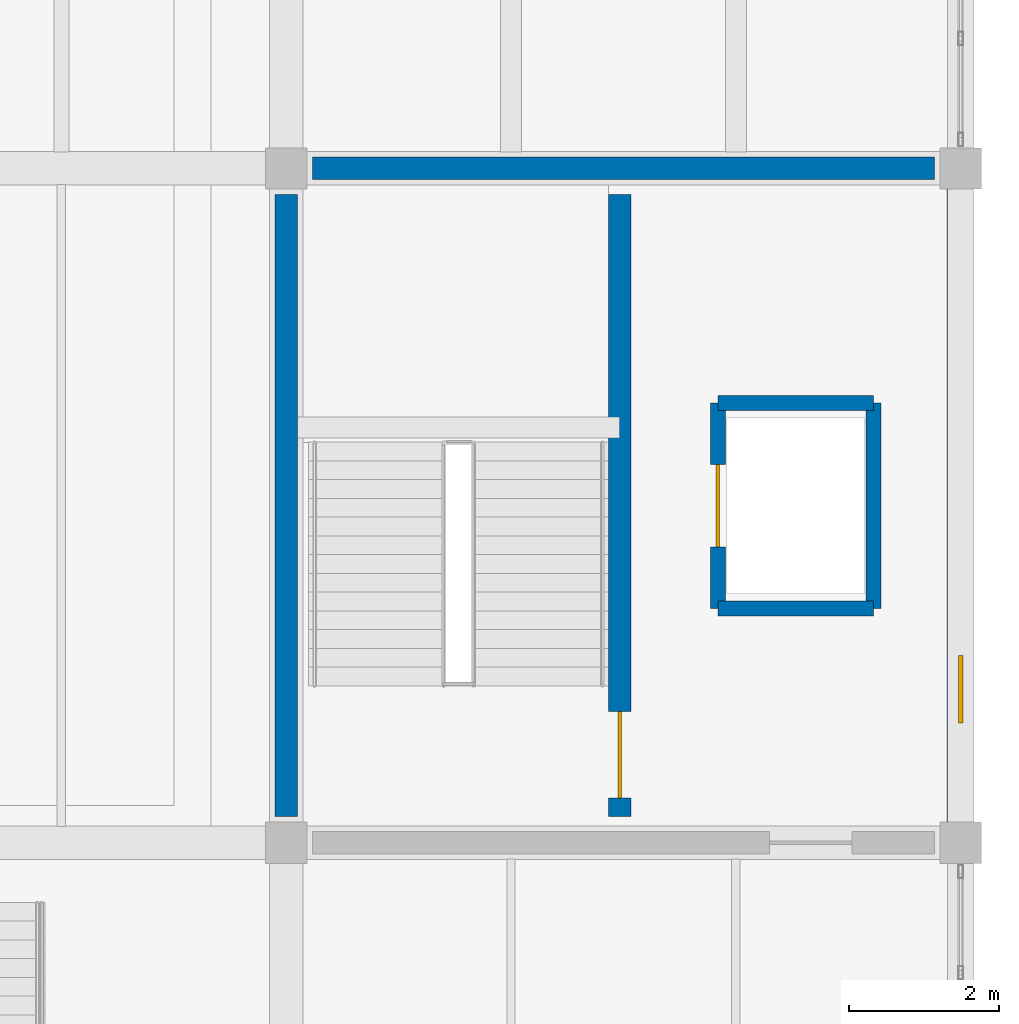
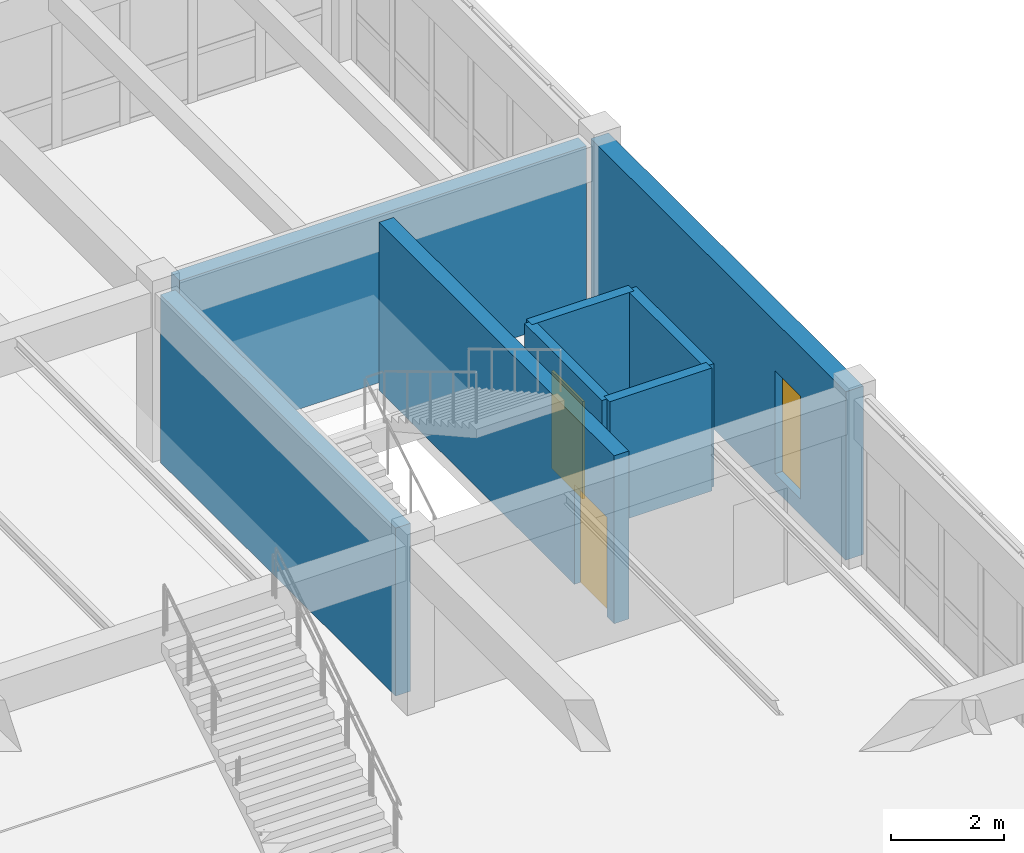
# One storey, part 136 of 156: 8 walls, 2 doors, 1 window, 3 openings.
"""IFC4 building model written with IfcOpenShell, lengths in metres."""

from ifc_helpers import new_model, si_unit, direction, frame, frame_2d, origin, place, context, subcontext, project, spatial, rectangle, extrude, material, layer, layer_set, type_object, element, fill, save


model = new_model("IFC4")

# Units and contexts
model_context = context("Model", 3, precision=1e-05, world=origin(), true_north=direction((0.0, 1.0)))
body_context = subcontext(model_context, "Body", "Model", "MODEL_VIEW")
ifc_project = project(units=[si_unit("LENGTHUNIT", "METRE"), si_unit("AREAUNIT", "SQUARE_METRE"), si_unit("VOLUMEUNIT", "CUBIC_METRE"), si_unit("PLANEANGLEUNIT", "RADIAN"), si_unit("MASSUNIT", "GRAM", prefix="KILO")], contexts=[model_context])

# Site, building, storey
site_placement = place(None, origin())
site = spatial("IfcSite", under=ifc_project, at=site_placement, CompositionType="ELEMENT")
building_placement = place(site_placement, origin())
building = spatial("IfcBuilding", under=site, at=building_placement, Name="Ornek Quay Market", CompositionType="ELEMENT")
storey_placement = place(building_placement, frame((0.0, 0.0, 4.5)))
storey = spatial("IfcBuildingStorey", under=building, at=storey_placement, Name="L01", CompositionType="ELEMENT", Elevation=4.5)

# Wall, opening, door
ifc_material_1 = material(Name="Concrete C40/50", Category="concrete")
ifc_layer_1 = layer(ifc_material_1, 0.300048828125, Name="Concrete C40/50", Category="concrete")
ifc_layer_set_1 = layer_set([ifc_layer_1], Name="Concrete C40/50")
wall_type_1 = type_object("IfcWallType", Name="WL-CORE-300", PredefinedType="SHEAR", material=ifc_layer_set_1)
wall_1_placement = place(storey_placement, frame((175.449951171875, 92.35009765625, 0.0), z_axis=(0.0, 0.0, 1.0), x_axis=(0.0, 1.0, 0.0)))
wall_1 = element("IfcWall", 1, at=wall_1_placement, inside=storey, type_object=wall_type_1, Name="Interior wall W-CORE1-130", PredefinedType="SHEAR", context=body_context, shape_type="SweptSolid", body=[
    extrude(rectangle(XDim=8.2998046875, YDim=0.300048828125, at=frame_2d((4.14990234375, 0.0))), origin(), (0.0, 0.0, 1.0), 3.6201171875),
])
opening_1_placement = place(wall_1_placement, frame((0.25, 0.0, 0.0)))
opening_1 = element("IfcOpeningElement", 2, at=opening_1_placement, cuts=wall_1, Name="Opening FD-03-049", PredefinedType="OPENING", context=body_context, shape_type="SweptSolid", body=[
    extrude(rectangle(XDim=1.14990234375, YDim=2.14990234375, at=frame_2d((0.574951171875, 1.074951171875))), frame((0.0, 0.159912109375, 0.0), z_axis=(0.0, -1.0, 0.0), x_axis=(1.0, 0.0, 0.0)), (0.0, 0.0, 1.0), 0.320068359375),
])
ifc_material_2 = material(Name="Insulated fire-rated painted steel", Category="steel")
door_type_1 = type_object("IfcDoorType", Name="DR-FIRE-STAIR-1150x2150", OperationType="NOTDEFINED", PredefinedType="DOOR", material=ifc_material_2)
door_1_placement = place(opening_1_placement, origin())
door_1 = element("IfcDoor", 3, at=door_1_placement, inside=storey, type_object=door_type_1, Name="Interior door FD-03-049", OperationType="SINGLE_SWING_RIGHT", OverallHeight=2.14990234375, OverallWidth=1.14990234375, PredefinedType="DOOR", context=body_context, shape_type="SweptSolid", body=[
    extrude(rectangle(XDim=1.14990234375, YDim=2.14990234375, at=frame_2d((0.574951171875, 1.074951171875))), frame((0.0, 0.02490234375, 0.0), z_axis=(0.0, -1.0, 0.0), x_axis=(1.0, 0.0, 0.0)), (0.0, 0.0, 1.0), 0.050048828125),
])
fill(opening_1, door_1)

# Walls
for number, where, z_axis, x_axis, name in (
    (4, (171.0, 92.35009765625, 0.0), (0.0, 0.0, 1.0), (0.0, 1.0, 0.0), "Interior wall W-CORE1-131"),
    (5, (171.35009765625, 101.0, 0.0), (0.0, 0.0, 1.0), (1.0, 0.0, 0.0), "Interior wall W-CORE1-133"),
):
    element("IfcWall", number, at=place(storey_placement, frame(where, z_axis=z_axis, x_axis=x_axis)), inside=storey, type_object=wall_type_1, Name=name, PredefinedType="SHEAR", context=body_context, shape_type="SweptSolid", body=[
        extrude(rectangle(XDim=8.2998046875, YDim=0.300048828125, at=frame_2d((4.14990234375, 0.0))), origin(), (0.0, 0.0, 1.0), 3.6201171875),
    ])

# Wall, opening, window
ifc_material_3 = material(Name="Frost-resistant facing clay brick M200 F100", Category="masonry")
ifc_layer_2 = layer(ifc_material_3, 0.360107421875, Name="Frost-resistant facing clay brick M200 F100", Category="masonry")
ifc_layer_set_2 = layer_set([ifc_layer_2], Name="Frost-resistant facing clay brick M200 F100")
wall_type_2 = type_object("IfcWallType", Name="WL-EXT-FC-360", PredefinedType="STANDARD", material=ifc_layer_set_2)
wall_2_placement = place(storey_placement, frame((180.0, 101.0, 0.0), z_axis=(0.0, 0.0, 1.0), x_axis=(0.0, -1.0, 0.0)))
wall_2 = element("IfcWall", 6, at=wall_2_placement, inside=storey, type_object=wall_type_2, Name="Exterior wall EW-163", PredefinedType="STANDARD", context=body_context, shape_type="SweptSolid", body=[
    extrude(rectangle(XDim=9.0, YDim=0.360107421875, at=frame_2d((4.5, 0.0))), origin(), (0.0, 0.0, 1.0), 3.6298828125),
])
opening_2_placement = place(wall_2_placement, frame((6.5, 0.0, 0.35009765625)))
opening_2 = element("IfcOpeningElement", 7, at=opening_2_placement, cuts=wall_2, Name="Opening W-17-135", PredefinedType="OPENING", context=body_context, shape_type="SweptSolid", body=[
    extrude(rectangle(XDim=0.89990234375, YDim=2.219970703125, at=frame_2d((0.449951171875, 1.10986328125))), frame((0.0, 0.18994140625, 0.0), z_axis=(0.0, -1.0, 0.0), x_axis=(1.0, 0.0, 0.0)), (0.0, 0.0, 1.0), 0.380126953125),
])
ifc_material_4 = material(Name="Thermally broken bronze aluminium and triple low-e glass", Category="aluminium")
window_type = type_object("IfcWindowType", Name="WN-CORE-900x2400", PartitioningType="SINGLE_PANEL", PredefinedType="WINDOW", material=ifc_material_4)
window_placement = place(opening_2_placement, origin())
window = element("IfcWindow", 8, at=window_placement, inside=storey, type_object=window_type, Name="Window W-17-135", OverallHeight=2.219970703125, OverallWidth=0.89990234375, PartitioningType="SINGLE_PANEL", PredefinedType="WINDOW", context=body_context, shape_type="SweptSolid", body=[
    extrude(rectangle(XDim=0.89990234375, YDim=2.219970703125, at=frame_2d((0.449951171875, 1.10986328125))), frame((0.0, 0.030029296875, 0.0), z_axis=(0.0, -1.0, 0.0), x_axis=(1.0, 0.0, 0.0)), (0.0, 0.0, 1.0), 0.06005859375),
])
fill(opening_2, window)

# Wall, opening, door
ifc_material_5 = material(Name="Concrete C35/45", Category="concrete")
ifc_layer_3 = layer(ifc_material_5, 0.199951171875, Name="Concrete C35/45", Category="concrete")
ifc_layer_set_3 = layer_set([ifc_layer_3], Name="Concrete C35/45")
wall_type_3 = type_object("IfcWallType", Name="WL-SHAFT-200", PredefinedType="SOLIDWALL", material=ifc_layer_set_3)
wall_3_placement = place(storey_placement, frame((176.760009765625, 95.1298828125, 0.0), z_axis=(0.0, 0.0, 1.0), x_axis=(0.0, 1.0, 0.0)))
wall_3 = element("IfcWall", 9, at=wall_3_placement, inside=storey, type_object=wall_type_3, Name="Interior wall W-CORE3-134", PredefinedType="SOLIDWALL", context=body_context, shape_type="SweptSolid", body=[
    extrude(rectangle(XDim=2.740234375, YDim=0.199951171875, at=frame_2d((1.3701171875, 0.0))), origin(), (0.0, 0.0, 1.0), 2.64990234375),
])
opening_3_placement = place(wall_3_placement, frame((0.820068359375, 0.0, 0.0)))
opening_3 = element("IfcOpeningElement", 10, at=opening_3_placement, cuts=wall_3, Name="Opening LD-01-051", PredefinedType="OPENING", context=body_context, shape_type="SweptSolid", body=[
    extrude(rectangle(XDim=1.10009765625, YDim=2.10009765625, at=frame_2d((0.550048828125, 1.050048828125))), frame((0.0, 0.10986328125, 0.0), z_axis=(0.0, -1.0, 0.0), x_axis=(1.0, 0.0, 0.0)), (0.0, 0.0, 1.0), 0.219970703125),
])
ifc_material_6 = material(Name="Brushed stainless steel landing door", Category="steel")
door_type_2 = type_object("IfcDoorType", Name="DR-LIFT-1100x2100", OperationType="SLIDING_TO_LEFT", PredefinedType="DOOR", material=ifc_material_6)
door_2_placement = place(opening_3_placement, origin())
door_2 = element("IfcDoor", 11, at=door_2_placement, inside=storey, type_object=door_type_2, Name="Interior door LD-01-051", OperationType="SLIDING_TO_LEFT", OverallHeight=2.10009765625, OverallWidth=1.10009765625, PredefinedType="DOOR", context=body_context, shape_type="SweptSolid", body=[
    extrude(rectangle(XDim=1.10009765625, YDim=2.10009765625, at=frame_2d((0.550048828125, 1.050048828125))), frame((0.0, 0.02490234375, 0.0), z_axis=(0.0, -1.0, 0.0), x_axis=(1.0, 0.0, 0.0)), (0.0, 0.0, 1.0), 0.050048828125),
])
fill(opening_3, door_2)

# Walls
for number, where, z_axis, x_axis, name in (
    (12, (176.760009765625, 95.1298828125, 0.0), (0.0, 0.0, 1.0), (1.0, 0.0, 0.0), "Interior wall W-CORE3-135"),
    (13, (176.760009765625, 97.8701171875, 0.0), (0.0, 0.0, 1.0), (1.0, 0.0, 0.0), "Interior wall W-CORE3-136"),
):
    element("IfcWall", number, at=place(storey_placement, frame(where, z_axis=z_axis, x_axis=x_axis)), inside=storey, type_object=wall_type_3, Name=name, PredefinedType="SOLIDWALL", context=body_context, shape_type="SweptSolid", body=[
        extrude(rectangle(XDim=2.080078125, YDim=0.199951171875, at=frame_2d((1.0400390625, 0.0))), origin(), (0.0, 0.0, 1.0), 2.64990234375),
    ])
wall_4_placement = place(storey_placement, frame((178.840087890625, 95.1298828125, 0.0), z_axis=(0.0, 0.0, 1.0), x_axis=(0.0, 1.0, 0.0)))
element("IfcWall", 14, at=wall_4_placement, inside=storey, type_object=wall_type_3, Name="Interior wall W-CORE3-137", PredefinedType="SOLIDWALL", context=body_context, shape_type="SweptSolid", body=[
    extrude(rectangle(XDim=2.740234375, YDim=0.199951171875, at=frame_2d((1.3701171875, 0.0))), origin(), (0.0, 0.0, 1.0), 2.64990234375),
])

save(model, "model.ifc")
